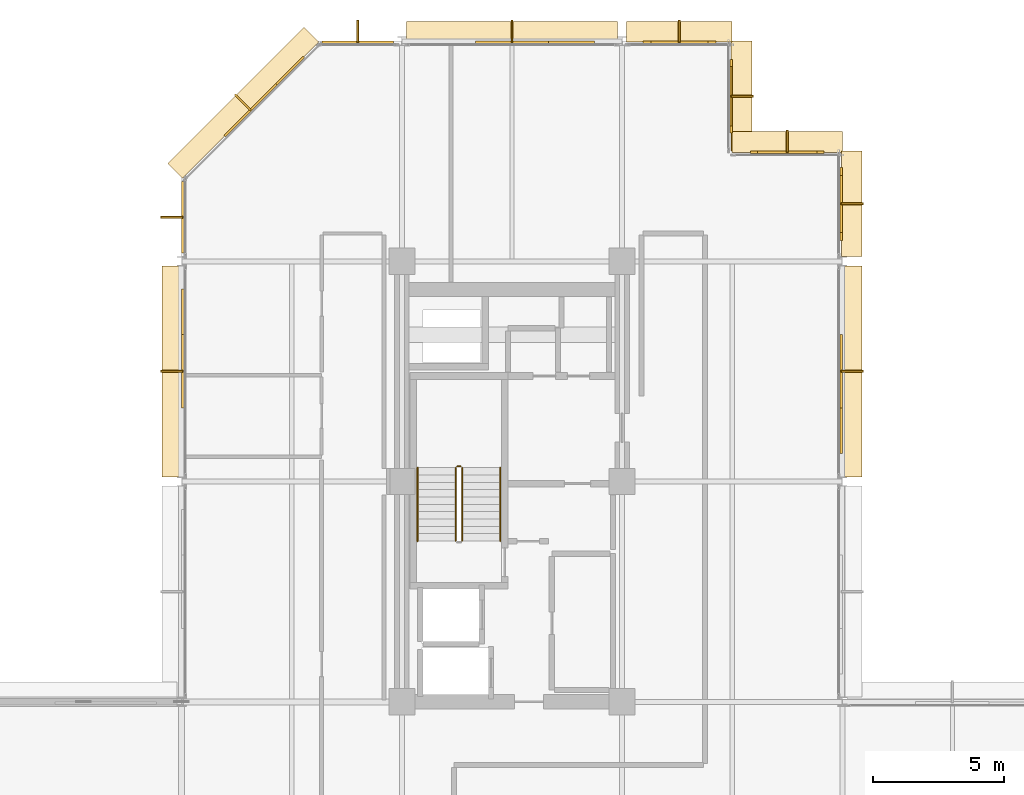
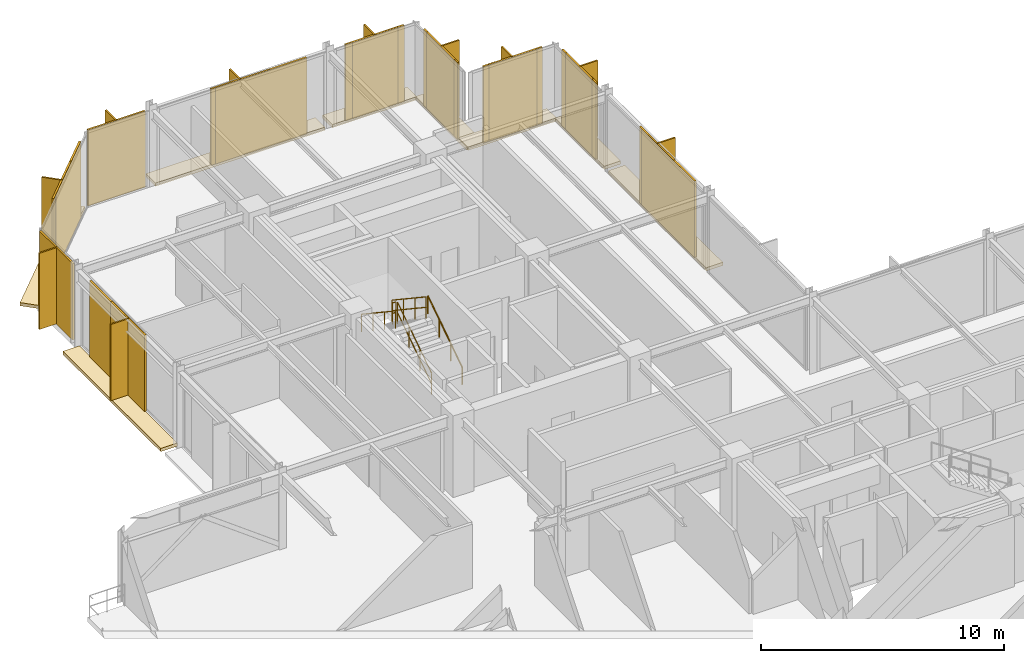
# One storey, part 30 of 30: 20 shading devices, 16 coverings, 5 railings.
"""IFC4 building model written with IfcOpenShell, lengths in metres."""

import ifcopenshell
import ifcopenshell.guid

model = None  # the IFC model being written
_history = None  # IfcOwnerHistory: only IFC2X3 demands one
_inside = {}  # id of a spatial element -> (the spatial element, [elements in it])
_under = {}  # id of a project, library or spatial element -> (it, [spatial elements below it])
_declared = {}  # id of a project -> (the project, [libraries it declares])
_typed = {}  # id of a type object -> (the type object, [elements of that type])
_made_of = {}  # id of a material, layer set ... -> (it, [elements and type objects made of it])


def new_model(schema):
    """Start an empty IFC model of exactly this schema.

    Asked for "IFC4X3", IfcOpenShell would pick the latest addendum, in which some entities
    have other attributes; the version numbers below select the first issue.
    IFC2X3 requires an IfcOwnerHistory on every rooted entity: one is made here for all.
    """
    global model, _history
    if schema == "IFC4X3":
        model = ifcopenshell.file(schema_version=(4, 3, 0, 0))
    else:
        model = ifcopenshell.file(schema=schema)
    _inside.clear()
    _under.clear()
    _declared.clear()
    _typed.clear()
    _made_of.clear()
    _history = None
    if model.schema == "IFC2X3":
        org = make("IfcOrganization", Name="unknown")
        user = make(
            "IfcPersonAndOrganization",
            ThePerson=make("IfcPerson", FamilyName="unknown"),
            TheOrganization=org,
        )
        app = make(
            "IfcApplication",
            ApplicationDeveloper=org,
            Version="unknown",
            ApplicationFullName="unknown",
            ApplicationIdentifier="unknown",
        )
        _history = make(
            "IfcOwnerHistory",
            OwningUser=user,
            OwningApplication=app,
            ChangeAction="ADDED",
            CreationDate=0,
        )
    return model


def make(cls, **values):
    """One entity of the class cls with the attributes given. An attribute that is None is left unset."""
    return model.create_entity(
        cls, **{name: value for name, value in values.items() if value is not None}
    )


def rooted(cls, **values):
    """An entity with a GlobalId (a new one), such as an element, a storey or a relation."""
    return make(cls, GlobalId=ifcopenshell.guid.new(), OwnerHistory=_history, **values)


def si_unit(unit_type, name, prefix=None):
    """IfcSIUnit, for example si_unit("LENGTHUNIT", "METRE", prefix="MILLI")."""
    return make("IfcSIUnit", UnitType=unit_type, Prefix=prefix, Name=name)


def assignment(units):
    """IfcUnitAssignment: the units of a project."""
    return None if units is None else make("IfcUnitAssignment", Units=units)


def point(xyz):
    """IfcCartesianPoint."""
    return None if xyz is None else make("IfcCartesianPoint", Coordinates=xyz)


def direction(xyz):
    """IfcDirection."""
    return None if xyz is None else make("IfcDirection", DirectionRatios=xyz)


def frame(location, z_axis=None, x_axis=None):
    """IfcAxis2Placement3D, a coordinate frame: its origin and axes. An axis left out is left unset."""
    return make(
        "IfcAxis2Placement3D",
        Location=point(location),
        Axis=direction(z_axis),
        RefDirection=direction(x_axis),
    )


def frame_2d(location, x_axis=None):
    """IfcAxis2Placement2D, a coordinate frame in the plane: its origin and x axis."""
    return make(
        "IfcAxis2Placement2D", Location=point(location), RefDirection=direction(x_axis)
    )


def origin():
    """The frame at (0, 0, 0) with its axes left unset."""
    return frame((0.0, 0.0, 0.0))


def origin_2d():
    """The frame at (0, 0) in the plane with its x axis left unset."""
    return frame_2d((0.0, 0.0))


def place(relative_to, where):
    """IfcLocalPlacement: puts the frame where relative to a parent placement (None: the world)."""
    return make(
        "IfcLocalPlacement", PlacementRelTo=relative_to, RelativePlacement=where
    )


def context(
    kind, dimensions, precision=None, world=None, true_north=None, identifier=None
):
    """IfcGeometricRepresentationContext, for example the 3D "Model" context."""
    return make(
        "IfcGeometricRepresentationContext",
        ContextIdentifier=identifier,
        ContextType=kind,
        CoordinateSpaceDimension=dimensions,
        Precision=precision,
        WorldCoordinateSystem=world,
        TrueNorth=true_north,
    )


def subcontext(parent, identifier, kind, view, scale=None):
    """IfcGeometricRepresentationSubContext, for example "Body" below "Model"."""
    return make(
        "IfcGeometricRepresentationSubContext",
        ContextIdentifier=identifier,
        ContextType=kind,
        ParentContext=parent,
        TargetScale=scale,
        TargetView=view,
    )


def project(units=None, contexts=None):
    """IfcProject with its units and contexts."""
    return rooted(
        "IfcProject",
        Name="project",
        RepresentationContexts=contexts,
        UnitsInContext=assignment(units),
    )


def spatial(cls, under=None, at=None, **own):
    """A site, building, storey or space (cls), placed at a placement, below another one or the project."""
    s = rooted(cls, ObjectPlacement=at, **own)
    if under is not None:
        _under.setdefault(under.id(), (under, []))[1].append(s)
    return s


def polyline(points):
    """IfcPolyline through the points."""
    return make("IfcPolyline", Points=[point(p) for p in points])


def profile(cls, at=None, kind="AREA", **sizes):
    """A parametric profile (cls). Its sizes go by their IFC names, for example OverallWidth=200.0."""
    return make(cls, ProfileType=kind, Position=at, **sizes)


def rectangle(**sizes):
    """IfcRectangleProfileDef."""
    return profile("IfcRectangleProfileDef", **sizes)


def circle(**sizes):
    """IfcCircleProfileDef."""
    return profile("IfcCircleProfileDef", **sizes)


def outline(outer, holes=None, kind="AREA"):
    """IfcArbitraryClosedProfileDef: a profile drawn as a closed curve; with holes, ...WithVoids."""
    if holes is None:
        return make("IfcArbitraryClosedProfileDef", ProfileType=kind, OuterCurve=outer)
    return make(
        "IfcArbitraryProfileDefWithVoids",
        ProfileType=kind,
        OuterCurve=outer,
        InnerCurves=holes,
    )


def extrude(swept, where, along, depth):
    """IfcExtrudedAreaSolid: the profile swept, set in the frame where, extruded along a direction by depth."""
    return make(
        "IfcExtrudedAreaSolid",
        SweptArea=swept,
        Position=where,
        ExtrudedDirection=direction(along),
        Depth=depth,
    )


def shape(context_of_items, identifier, shape_type, items):
    """IfcShapeRepresentation: the items that make up one representation, for example the "Body"."""
    return make(
        "IfcShapeRepresentation",
        ContextOfItems=context_of_items,
        RepresentationIdentifier=identifier,
        RepresentationType=shape_type,
        Items=items,
    )


def material(Name=None, Category=None):
    """IfcMaterial."""
    return make("IfcMaterial", Name=Name, Category=Category)


def layer(
    of_material, thickness, ventilated=None, Name=None, Category=None, Priority=None
):
    """IfcMaterialLayer: one layer of a wall or slab, of a material (None: an air gap)."""
    return make(
        "IfcMaterialLayer",
        Material=of_material,
        LayerThickness=thickness,
        IsVentilated=ventilated,
        Name=Name,
        Category=Category,
        Priority=Priority,
    )


def layer_set(layers, Name=None):
    """IfcMaterialLayerSet."""
    return make("IfcMaterialLayerSet", MaterialLayers=layers, LayerSetName=Name)


def made_of(thing, what):
    """Note that an element or type object is made of a material, layer set ...; save() writes the relation."""
    if what is not None:
        _made_of.setdefault(what.id(), (what, []))[1].append(thing)
    return thing


def type_object(cls, material=None, **own):
    """A type object (cls), such as IfcWallType, which elements share."""
    return made_of(rooted(cls, **own), material)


def element(
    cls,
    number,
    at=None,
    inside=None,
    cuts=None,
    type_object=None,
    material=None,
    context=None,
    identifier="Body",
    shape_type=None,
    held_by="IfcProductDefinitionShape",
    body=None,
    shapes=None,
    **own,
):
    """One element of the class cls, such as IfcWall. Its Tag is "e" and its number.

    at: its placement. inside: the storey or other place that contains it. cuts: it is an
    opening in that element (IfcRelVoidsElement). A single representation is given by context,
    identifier, shape_type and body (its items); several are given by shapes. held_by: the class
    of the entity that holds the representations. save() writes the other relations.
    """
    e = rooted(cls, Tag="e%d" % number, ObjectPlacement=at, **own)
    if body is not None:
        shapes = [shape(context, identifier, shape_type, body)]
    if shapes is not None:
        e.Representation = make(held_by, Representations=shapes)
    if inside is not None:
        _inside.setdefault(inside.id(), (inside, []))[1].append(e)
    if cuts is not None:
        rooted(
            "IfcRelVoidsElement", RelatingBuildingElement=cuts, RelatedOpeningElement=e
        )
    if type_object is not None:
        _typed.setdefault(type_object.id(), (type_object, []))[1].append(e)
    return made_of(e, material)


def aggregate(whole, parts):
    """IfcRelAggregates: a whole, such as a stair, and the parts it consists of."""
    return rooted("IfcRelAggregates", RelatingObject=whole, RelatedObjects=parts)


def save(model, path):
    """Write the relations noted so far, then the file.

    IfcRelAggregates (storeys below a building ...), IfcRelContainedInSpatialStructure (elements
    in a storey), IfcRelDefinesByType, IfcRelAssociatesMaterial and IfcRelDeclares: one each for
    every whole, place, type object, material and project.
    """
    for whole, parts in _under.values():
        aggregate(whole, parts)
    for where, things in _inside.values():
        rooted(
            "IfcRelContainedInSpatialStructure",
            RelatedElements=things,
            RelatingStructure=where,
        )
    for kind, things in _typed.values():
        rooted("IfcRelDefinesByType", RelatedObjects=things, RelatingType=kind)
    for what, things in _made_of.values():
        rooted("IfcRelAssociatesMaterial", RelatedObjects=things, RelatingMaterial=what)
    for by, libraries in _declared.values():
        rooted("IfcRelDeclares", RelatingContext=by, RelatedDefinitions=libraries)
    model.write(path)


model = new_model("IFC4")

# Units and contexts
model_context = context("Model", 3, precision=1e-05, world=origin(), true_north=direction((0.0, 1.0)))
body_context = subcontext(model_context, "Body", "Model", "MODEL_VIEW")
ifc_project = project(units=[si_unit("LENGTHUNIT", "METRE"), si_unit("AREAUNIT", "SQUARE_METRE"), si_unit("VOLUMEUNIT", "CUBIC_METRE"), si_unit("PLANEANGLEUNIT", "RADIAN"), si_unit("MASSUNIT", "GRAM", prefix="KILO")], contexts=[model_context])

# Site, building, storey
site_placement = place(None, origin())
site = spatial("IfcSite", under=ifc_project, at=site_placement, CompositionType="ELEMENT")
building_placement = place(site_placement, origin())
building = spatial("IfcBuilding", under=site, at=building_placement, Name="Nerrivon Quay Data Exchange", CompositionType="ELEMENT")
storey_placement = place(building_placement, frame((0.0, 0.0, 171.39990234375)))
storey = spatial("IfcBuildingStorey", under=building, at=storey_placement, Name="L40", CompositionType="ELEMENT", Elevation=171.39990234375)

# Coverings
ifc_material_1 = material(Name="Architectural terracotta ceramic", Category="masonry")
ifc_layer_1 = layer(ifc_material_1, 0.159912109375)
ifc_layer_set_1 = layer_set([ifc_layer_1], Name="Architectural terracotta ceramic")
covering_type_1 = type_object("IfcCoveringType", Name="COV-BLD-TERR", PredefinedType="CLADDING", material=ifc_layer_set_1)
covering_1_placement = place(storey_placement, frame((0.0, 0.0, -0.159912109375)))
element("IfcCovering", 1, at=covering_1_placement, inside=storey, type_object=covering_type_1, Name="L40 Horizontal Terracotta SOLAR SCREEN Blade", PredefinedType="CLADDING", context=body_context, shape_type="SweptSolid", body=[
    extrude(outline(polyline([(0.0400390625, 33.77490234375), (0.0400390625, 41.824951171875), (-0.75, 41.824951171875), (-0.75, 33.77490234375), (0.0400390625, 33.77490234375)])), origin(), (0.0, 0.0, 1.0), 0.159912109375),
])
covering_2_placement = place(storey_placement, frame((0.0, 0.0, -0.159912109375)))
element("IfcCovering", 2, at=covering_2_placement, inside=storey, type_object=covering_type_1, Name="L40 Horizontal Terracotta SOLAR SCREEN Blade", PredefinedType="CLADDING", context=body_context, shape_type="SweptSolid", body=[
    extrude(outline(polyline([(0.0283203125, 45.171630859375), (5.228271484375, 50.37158203125), (4.669677734375, 50.930419921875), (-0.5302734375, 45.730224609375), (0.0283203125, 45.171630859375)])), origin(), (0.0, 0.0, 1.0), 0.159912109375),
])
covering_3_placement = place(storey_placement, frame((0.0, 0.0, -0.159912109375)))
element("IfcCovering", 3, at=covering_3_placement, inside=storey, type_object=covering_type_1, Name="L40 Horizontal Terracotta SOLAR SCREEN Blade", PredefinedType="CLADDING", context=body_context, shape_type="SweptSolid", body=[
    extrude(outline(polyline([(8.574951171875, 50.360107421875), (16.625, 50.360107421875), (16.625, 51.14990234375), (8.574951171875, 51.14990234375), (8.574951171875, 50.360107421875)])), origin(), (0.0, 0.0, 1.0), 0.159912109375),
])
covering_4_placement = place(storey_placement, frame((0.0, 0.0, -0.159912109375)))
element("IfcCovering", 4, at=covering_4_placement, inside=storey, type_object=covering_type_1, Name="L40 Horizontal Terracotta SOLAR SCREEN Blade", PredefinedType="CLADDING", context=body_context, shape_type="SweptSolid", body=[
    extrude(outline(polyline([(16.97509765625, 50.360107421875), (21.0, 50.360107421875), (21.0, 51.14990234375), (16.97509765625, 51.14990234375), (16.97509765625, 50.360107421875)])), origin(), (0.0, 0.0, 1.0), 0.159912109375),
])
covering_5_placement = place(storey_placement, frame((0.0, 0.0, -0.159912109375)))
element("IfcCovering", 5, at=covering_5_placement, inside=storey, type_object=covering_type_1, Name="L40 Horizontal Terracotta SOLAR SCREEN Blade", PredefinedType="CLADDING", context=body_context, shape_type="SweptSolid", body=[
    extrude(outline(polyline([(20.9599609375, 50.39990234375), (20.9599609375, 46.199951171875), (21.75, 46.199951171875), (21.75, 50.39990234375), (20.9599609375, 50.39990234375)])), origin(), (0.0, 0.0, 1.0), 0.159912109375),
])
covering_6_placement = place(storey_placement, frame((0.0, 0.0, -0.159912109375)))
element("IfcCovering", 6, at=covering_6_placement, inside=storey, type_object=covering_type_1, Name="L40 Horizontal Terracotta SOLAR SCREEN Blade", PredefinedType="CLADDING", context=body_context, shape_type="SweptSolid", body=[
    extrude(outline(polyline([(21.0, 46.159912109375), (25.199951171875, 46.159912109375), (25.199951171875, 46.949951171875), (21.0, 46.949951171875), (21.0, 46.159912109375)])), origin(), (0.0, 0.0, 1.0), 0.159912109375),
])
covering_7_placement = place(storey_placement, frame((0.0, 0.0, -0.159912109375)))
element("IfcCovering", 7, at=covering_7_placement, inside=storey, type_object=covering_type_1, Name="L40 Horizontal Terracotta SOLAR SCREEN Blade", PredefinedType="CLADDING", context=body_context, shape_type="SweptSolid", body=[
    extrude(outline(polyline([(25.159912109375, 46.199951171875), (25.159912109375, 42.175048828125), (25.949951171875, 42.175048828125), (25.949951171875, 46.199951171875), (25.159912109375, 46.199951171875)])), origin(), (0.0, 0.0, 1.0), 0.159912109375),
])
covering_8_placement = place(storey_placement, frame((0.0, 0.0, -0.159912109375)))
element("IfcCovering", 8, at=covering_8_placement, inside=storey, type_object=covering_type_1, Name="L40 Horizontal Terracotta SOLAR SCREEN Blade", PredefinedType="CLADDING", context=body_context, shape_type="SweptSolid", body=[
    extrude(outline(polyline([(25.159912109375, 41.824951171875), (25.159912109375, 33.77490234375), (25.949951171875, 33.77490234375), (25.949951171875, 41.824951171875), (25.159912109375, 41.824951171875)])), origin(), (0.0, 0.0, 1.0), 0.159912109375),
])
ifc_layer_2 = layer(ifc_material_1, 0.090087890625)
ifc_layer_set_2 = layer_set([ifc_layer_2], Name="Architectural terracotta ceramic")
covering_type_2 = type_object("IfcCoveringType", Name="COV-SCR-TERR", PredefinedType="CLADDING", material=ifc_layer_set_2)
covering_9_placement = place(storey_placement, frame((0.044921875, 38.76611328125, 0.0), z_axis=(0.0, 0.0, 1.0), x_axis=(0.0, 1.0, 0.0)))
element("IfcCovering", 9, at=covering_9_placement, inside=storey, type_object=covering_type_2, Name="L40 Perforated Terracotta SOLAR SCREEN Cassette", PredefinedType="CLADDING", context=body_context, shape_type="SweptSolid", body=[
    extrude(rectangle(XDim=4.346923828125, YDim=0.090087890625, at=origin_2d()), origin(), (0.0, 0.0, 1.0), 3.824951171875),
])
covering_10_placement = place(storey_placement, frame((3.255859375, 48.39208984375, 0.0), z_axis=(0.0, 0.0, 1.0), x_axis=(0.707106781187, 0.707106781187, 0.0)))
element("IfcCovering", 10, at=covering_10_placement, inside=storey, type_object=covering_type_2, Name="L40 Perforated Terracotta SOLAR SCREEN Cassette", PredefinedType="CLADDING", context=body_context, shape_type="SweptSolid", body=[
    extrude(rectangle(XDim=3.970947265625, YDim=0.090087890625, at=origin_2d()), origin(), (0.0, 0.0, 1.0), 3.824951171875),
])
covering_11_placement = place(storey_placement, frame((13.56591796875, 50.35498046875, 0.0), z_axis=(0.0, 0.0, 1.0), x_axis=(1.0, 0.0, 0.0)))
element("IfcCovering", 11, at=covering_11_placement, inside=storey, type_object=covering_type_2, Name="L40 Perforated Terracotta SOLAR SCREEN Cassette", PredefinedType="CLADDING", context=body_context, shape_type="SweptSolid", body=[
    extrude(rectangle(XDim=4.346923828125, YDim=0.090087890625, at=origin_2d()), origin(), (0.0, 0.0, 1.0), 3.824951171875),
])
covering_12_placement = place(storey_placement, frame((18.987548828125, 50.35498046875, 0.0), z_axis=(0.0, 0.0, 1.0), x_axis=(1.0, 0.0, 0.0)))
element("IfcCovering", 12, at=covering_12_placement, inside=storey, type_object=covering_type_2, Name="L40 Perforated Terracotta SOLAR SCREEN Cassette", PredefinedType="CLADDING", context=body_context, shape_type="SweptSolid", body=[
    extrude(rectangle(XDim=2.173095703125, YDim=0.090087890625, at=origin_2d()), origin(), (0.0, 0.0, 1.0), 3.824951171875),
])
for number, where, z_axis, x_axis, name in (
    (13, (20.955078125, 48.300048828125, 0.0), (0.0, 0.0, 1.0), (0.0, -1.0, 0.0), "L40 Perforated Terracotta SOLAR SCREEN Cassette"),
    (14, (23.10009765625, 46.155029296875, 0.0), (0.0, 0.0, 1.0), (1.0, 0.0, 0.0), "L40 Perforated Terracotta SOLAR SCREEN Cassette"),
):
    element("IfcCovering", number, at=place(storey_placement, frame(where, z_axis=z_axis, x_axis=x_axis)), inside=storey, type_object=covering_type_2, Name=name, PredefinedType="CLADDING", context=body_context, shape_type="SweptSolid", body=[
        extrude(rectangle(XDim=2.26806640625, YDim=0.090087890625, at=origin_2d()), origin(), (0.0, 0.0, 1.0), 3.824951171875),
    ])
covering_13_placement = place(storey_placement, frame((25.155029296875, 44.1875, 0.0), z_axis=(0.0, 0.0, 1.0), x_axis=(0.0, -1.0, 0.0)))
element("IfcCovering", 15, at=covering_13_placement, inside=storey, type_object=covering_type_2, Name="L40 Perforated Terracotta SOLAR SCREEN Cassette", PredefinedType="CLADDING", context=body_context, shape_type="SweptSolid", body=[
    extrude(rectangle(XDim=2.174072265625, YDim=0.090087890625, at=origin_2d()), origin(), (0.0, 0.0, 1.0), 3.824951171875),
])
covering_14_placement = place(storey_placement, frame((25.155029296875, 36.833984375, 0.0), z_axis=(0.0, 0.0, 1.0), x_axis=(0.0, -1.0, 0.0)))
element("IfcCovering", 16, at=covering_14_placement, inside=storey, type_object=covering_type_2, Name="L40 Perforated Terracotta SOLAR SCREEN Cassette", PredefinedType="CLADDING", context=body_context, shape_type="SweptSolid", body=[
    extrude(rectangle(XDim=4.346923828125, YDim=0.090087890625, at=origin_2d()), origin(), (0.0, 0.0, 1.0), 3.824951171875),
])

# Railings
ifc_material_2 = material(Name="Steel Grade C350L0 (350 MPa)", Category="steel")
railing_type_1 = type_object("IfcRailingType", Name="RAIL-HAND-HR1", PredefinedType="HANDRAIL", material=ifc_material_2)
railing_1_placement = place(storey_placement, frame((12.14990234375, 31.330078125, 0.1865234375)))
element("IfcRailing", 17, at=railing_1_placement, inside=storey, type_object=railing_type_1, Name="L40 ST01 stair handrail 1", PredefinedType="HANDRAIL", context=body_context, shape_type="SweptSolid", body=[
    extrude(circle(Radius=0.02392578125, at=origin_2d()), frame((0.0, 0.0, 0.8759765625), z_axis=(0.0, 0.832463268671, 0.554080234545), x_axis=(-1.0, 0.0, 0.0)), (0.0, 0.0, 1.0), 3.36328125),
    extrude(circle(Radius=0.02099609375, at=origin_2d()), origin(), (0.0, 0.0, 1.0), 0.851806640625),
    extrude(circle(Radius=0.02099609375, at=origin_2d()), frame((0.0, 0.933349609375, 0.62109375)), (0.0, 0.0, 1.0), 0.851806640625),
    extrude(circle(Radius=0.02099609375, at=origin_2d()), frame((0.0, 1.866455078125, 1.242431640625)), (0.0, 0.0, 1.0), 0.851806640625),
    extrude(circle(Radius=0.02099609375, at=origin_2d()), frame((0.0, 2.7998046875, 1.863525390625)), (0.0, 0.0, 1.0), 0.851806640625),
])
railing_2_placement = place(storey_placement, frame((9.0, 34.1298828125, 2.236572265625)))
element("IfcRailing", 18, at=railing_2_placement, inside=storey, type_object=railing_type_1, Name="L40 ST01 stair handrail 2", PredefinedType="HANDRAIL", context=body_context, shape_type="SweptSolid", body=[
    extrude(circle(Radius=0.02392578125, at=origin_2d()), frame((0.0, 0.0, 0.8759765625), z_axis=(0.0, -0.832463268671, 0.554080234545), x_axis=(1.0, 0.0, 0.0)), (0.0, 0.0, 1.0), 3.36328125),
    extrude(circle(Radius=0.02099609375, at=origin_2d()), origin(), (0.0, 0.0, 1.0), 0.851806640625),
    extrude(circle(Radius=0.02099609375, at=origin_2d()), frame((0.0, -0.933349609375, 0.62109375)), (0.0, 0.0, 1.0), 0.851806640625),
    extrude(circle(Radius=0.02099609375, at=origin_2d()), frame((0.0, -1.866455078125, 1.242431640625)), (0.0, 0.0, 1.0), 0.851806640625),
    extrude(circle(Radius=0.02099609375, at=origin_2d()), frame((0.0, -2.7998046875, 1.863525390625)), (0.0, 0.0, 1.0), 0.851806640625),
])
railing_type_2 = type_object("IfcRailingType", Name="RAIL-STAIR-GR1", PredefinedType="BALUSTRADE", material=ifc_material_2)
railing_3_placement = place(storey_placement, frame((10.699951171875, 31.330078125, 0.1865234375)))
element("IfcRailing", 19, at=railing_3_placement, inside=storey, type_object=railing_type_2, Name="L40 ST01 stair guard 1", PredefinedType="BALUSTRADE", context=body_context, shape_type="SweptSolid", body=[
    extrude(circle(Radius=0.02392578125, at=origin_2d()), frame((0.0, 0.0, 1.076171875), z_axis=(0.0, 0.832463268671, 0.554080234545), x_axis=(-1.0, 0.0, 0.0)), (0.0, 0.0, 1.0), 3.36328125),
    extrude(circle(Radius=0.02392578125, at=origin_2d()), frame((0.0, 0.0, 0.550048828125), z_axis=(0.0, 0.832463268671, 0.554080234545), x_axis=(-1.0, 0.0, 0.0)), (0.0, 0.0, 1.0), 3.36328125),
    extrude(circle(Radius=0.02099609375, at=origin_2d()), origin(), (0.0, 0.0, 1.0), 1.052001953125),
    extrude(circle(Radius=0.02099609375, at=origin_2d()), frame((0.0, 0.933349609375, 0.62109375)), (0.0, 0.0, 1.0), 1.052001953125),
    extrude(circle(Radius=0.02099609375, at=origin_2d()), frame((0.0, 1.866455078125, 1.242431640625)), (0.0, 0.0, 1.0), 1.052001953125),
    extrude(circle(Radius=0.02099609375, at=origin_2d()), frame((0.0, 2.7998046875, 1.863525390625)), (0.0, 0.0, 1.0), 1.052001953125),
])
railing_4_placement = place(storey_placement, frame((10.64990234375, 34.179931640625, 2.050048828125)))
element("IfcRailing", 20, at=railing_4_placement, inside=storey, type_object=railing_type_2, Name="L40 ST01 stair guard 2", PredefinedType="BALUSTRADE", context=body_context, shape_type="SweptSolid", body=[
    extrude(circle(Radius=0.02392578125, at=origin_2d()), frame((0.0, 0.0, 1.076171875), z_axis=(-1.0, 0.0, 0.0), x_axis=(0.0, -1.0, 0.0)), (0.0, 0.0, 1.0), 0.14990234375),
    extrude(circle(Radius=0.02392578125, at=origin_2d()), frame((0.0, 0.0, 0.550048828125), z_axis=(-1.0, 0.0, 0.0), x_axis=(0.0, -1.0, 0.0)), (0.0, 0.0, 1.0), 0.14990234375),
    extrude(circle(Radius=0.02099609375, at=origin_2d()), origin(), (0.0, 0.0, 1.0), 1.052001953125),
    extrude(circle(Radius=0.02099609375, at=origin_2d()), frame((-0.14990234375, 0.0, 0.0)), (0.0, 0.0, 1.0), 1.052001953125),
])
railing_5_placement = place(storey_placement, frame((10.449951171875, 34.1298828125, 2.236572265625)))
element("IfcRailing", 21, at=railing_5_placement, inside=storey, type_object=railing_type_2, Name="L40 ST01 stair guard 3", PredefinedType="BALUSTRADE", context=body_context, shape_type="SweptSolid", body=[
    extrude(circle(Radius=0.02392578125, at=origin_2d()), frame((0.0, 0.0, 1.076171875), z_axis=(0.0, -0.832463268671, 0.554080234545), x_axis=(1.0, 0.0, 0.0)), (0.0, 0.0, 1.0), 3.36328125),
    extrude(circle(Radius=0.02392578125, at=origin_2d()), frame((0.0, 0.0, 0.550048828125), z_axis=(0.0, -0.832463268671, 0.554080234545), x_axis=(1.0, 0.0, 0.0)), (0.0, 0.0, 1.0), 3.36328125),
    extrude(circle(Radius=0.02099609375, at=origin_2d()), origin(), (0.0, 0.0, 1.0), 1.052001953125),
    extrude(circle(Radius=0.02099609375, at=origin_2d()), frame((0.0, -0.933349609375, 0.62109375)), (0.0, 0.0, 1.0), 1.052001953125),
    extrude(circle(Radius=0.02099609375, at=origin_2d()), frame((0.0, -1.866455078125, 1.242431640625)), (0.0, 0.0, 1.0), 1.052001953125),
    extrude(circle(Radius=0.02099609375, at=origin_2d()), frame((0.0, -2.7998046875, 1.863525390625)), (0.0, 0.0, 1.0), 1.052001953125),
])

# Shading devices
ifc_layer_3 = layer(ifc_material_1, 0.074951171875)
ifc_layer_set_3 = layer_set([ifc_layer_3], Name="Architectural terracotta ceramic")
shading_device_type_1 = type_object("IfcShadingDeviceType", Name="SHD-FIN-SS02", PredefinedType="USERDEFINED", material=ifc_layer_set_3)
for number, where, z_axis, x_axis, name in (
    (22, (-0.3798828125, 37.800048828125, 0.0), (0.0, 0.0, 1.0), (0.0, 1.0, 0.0), "L40 Subtropical Solar Fin Blade 5"),
    (23, (-0.3798828125, 43.6875, 0.0), (0.0, 0.0, 1.0), (0.0, 1.0, 0.0), "L40 Subtropical Solar Fin Blade 6"),
    (24, (2.331298828125, 48.068603515625, 0.0), (0.0, 0.0, 1.0), (0.707106781187, 0.707106781187, 0.0), "L40 Subtropical Solar Fin Blade 7"),
    (25, (6.71240234375, 50.780029296875, 0.0), (0.0, 0.0, 1.0), (1.0, 0.0, 0.0), "L40 Subtropical Solar Fin Blade 8"),
    (26, (12.60009765625, 50.780029296875, 0.0), (0.0, 0.0, 1.0), (1.0, 0.0, 0.0), "L40 Subtropical Solar Fin Blade 9"),
    (27, (18.987548828125, 50.780029296875, 0.0), (0.0, 0.0, 1.0), (1.0, 0.0, 0.0), "L40 Subtropical Solar Fin Blade 10"),
    (28, (21.3798828125, 48.300048828125, 0.0), (0.0, 0.0, 1.0), (0.0, -1.0, 0.0), "L40 Subtropical Solar Fin Blade 11"),
    (29, (23.10009765625, 46.580078125, 0.0), (0.0, 0.0, 1.0), (1.0, 0.0, 0.0), "L40 Subtropical Solar Fin Blade 12"),
    (30, (25.580078125, 44.1875, 0.0), (0.0, 0.0, 1.0), (0.0, -1.0, 0.0), "L40 Subtropical Solar Fin Blade 13"),
    (31, (25.580078125, 37.800048828125, 0.0), (0.0, 0.0, 1.0), (0.0, -1.0, 0.0), "L40 Subtropical Solar Fin Blade 14"),
):
    element("IfcShadingDevice", number, at=place(storey_placement, frame(where, z_axis=z_axis, x_axis=x_axis)), inside=storey, type_object=shading_device_type_1, Name=name, ObjectType="FIN", PredefinedType="USERDEFINED", context=body_context, shape_type="SweptSolid", body=[
        extrude(rectangle(XDim=0.074951171875, YDim=0.85009765625, at=origin_2d()), origin(), (0.0, 0.0, 1.0), 3.824951171875),
    ])
ifc_layer_4 = layer(ifc_material_1, 0.0849609375)
ifc_layer_set_4 = layer_set([ifc_layer_4], Name="Architectural terracotta ceramic")
shading_device_type_2 = type_object("IfcShadingDeviceType", Name="SHD-SCR-SS01", PredefinedType="USERDEFINED", material=ifc_layer_set_4)
shading_device_1_placement = place(storey_placement, frame((0.0400390625, 37.800048828125, 0.0), z_axis=(0.0, 0.0, 1.0), x_axis=(0.0, 1.0, 0.0)))
element("IfcShadingDevice", 32, at=shading_device_1_placement, inside=storey, type_object=shading_device_type_2, Name="L40 Perforated Terracotta Solar Screen 5", ObjectType="SCREEN", PredefinedType="USERDEFINED", context=body_context, shape_type="SweptSolid", body=[
    extrude(rectangle(XDim=2.800048828125, YDim=0.0849609375, at=origin_2d()), origin(), (0.0, 0.0, 1.0), 3.824951171875),
])
shading_device_2_placement = place(storey_placement, frame((0.0400390625, 43.6875, 0.0), z_axis=(0.0, 0.0, 1.0), x_axis=(0.0, 1.0, 0.0)))
element("IfcShadingDevice", 33, at=shading_device_2_placement, inside=storey, type_object=shading_device_type_2, Name="L40 Perforated Terracotta Solar Screen 6", ObjectType="SCREEN", PredefinedType="USERDEFINED", context=body_context, shape_type="SweptSolid", body=[
    extrude(rectangle(XDim=2.72509765625, YDim=0.0849609375, at=origin_2d()), origin(), (0.0, 0.0, 1.0), 3.824951171875),
])
shading_device_3_placement = place(storey_placement, frame((2.62841796875, 47.771728515625, 0.0), z_axis=(0.0, 0.0, 1.0), x_axis=(0.707106781187, 0.707106781187, 0.0)))
element("IfcShadingDevice", 34, at=shading_device_3_placement, inside=storey, type_object=shading_device_type_2, Name="L40 Perforated Terracotta Solar Screen 7", ObjectType="SCREEN", PredefinedType="USERDEFINED", context=body_context, shape_type="SweptSolid", body=[
    extrude(rectangle(XDim=2.800048828125, YDim=0.0849609375, at=origin_2d()), origin(), (0.0, 0.0, 1.0), 3.824951171875),
])
shading_device_4_placement = place(storey_placement, frame((6.71240234375, 50.360107421875, 0.0), z_axis=(0.0, 0.0, 1.0), x_axis=(1.0, 0.0, 0.0)))
element("IfcShadingDevice", 35, at=shading_device_4_placement, inside=storey, type_object=shading_device_type_2, Name="L40 Perforated Terracotta Solar Screen 8", ObjectType="SCREEN", PredefinedType="USERDEFINED", context=body_context, shape_type="SweptSolid", body=[
    extrude(rectangle(XDim=2.72509765625, YDim=0.0849609375, at=origin_2d()), origin(), (0.0, 0.0, 1.0), 3.824951171875),
])
for number, where, z_axis, x_axis, name in (
    (36, (12.60009765625, 50.360107421875, 0.0), (0.0, 0.0, 1.0), (1.0, 0.0, 0.0), "L40 Perforated Terracotta Solar Screen 9"),
    (37, (18.987548828125, 50.360107421875, 0.0), (0.0, 0.0, 1.0), (1.0, 0.0, 0.0), "L40 Perforated Terracotta Solar Screen 10"),
    (38, (20.9599609375, 48.300048828125, 0.0), (0.0, 0.0, 1.0), (0.0, -1.0, 0.0), "L40 Perforated Terracotta Solar Screen 11"),
    (39, (23.10009765625, 46.159912109375, 0.0), (0.0, 0.0, 1.0), (1.0, 0.0, 0.0), "L40 Perforated Terracotta Solar Screen 12"),
    (40, (25.159912109375, 44.1875, 0.0), (0.0, 0.0, 1.0), (0.0, -1.0, 0.0), "L40 Perforated Terracotta Solar Screen 13"),
    (41, (25.159912109375, 37.800048828125, 0.0), (0.0, 0.0, 1.0), (0.0, -1.0, 0.0), "L40 Perforated Terracotta Solar Screen 14"),
):
    element("IfcShadingDevice", number, at=place(storey_placement, frame(where, z_axis=z_axis, x_axis=x_axis)), inside=storey, type_object=shading_device_type_2, Name=name, ObjectType="SCREEN", PredefinedType="USERDEFINED", context=body_context, shape_type="SweptSolid", body=[
        extrude(rectangle(XDim=2.800048828125, YDim=0.0849609375, at=origin_2d()), origin(), (0.0, 0.0, 1.0), 3.824951171875),
    ])

save(model, "model.ifc")
